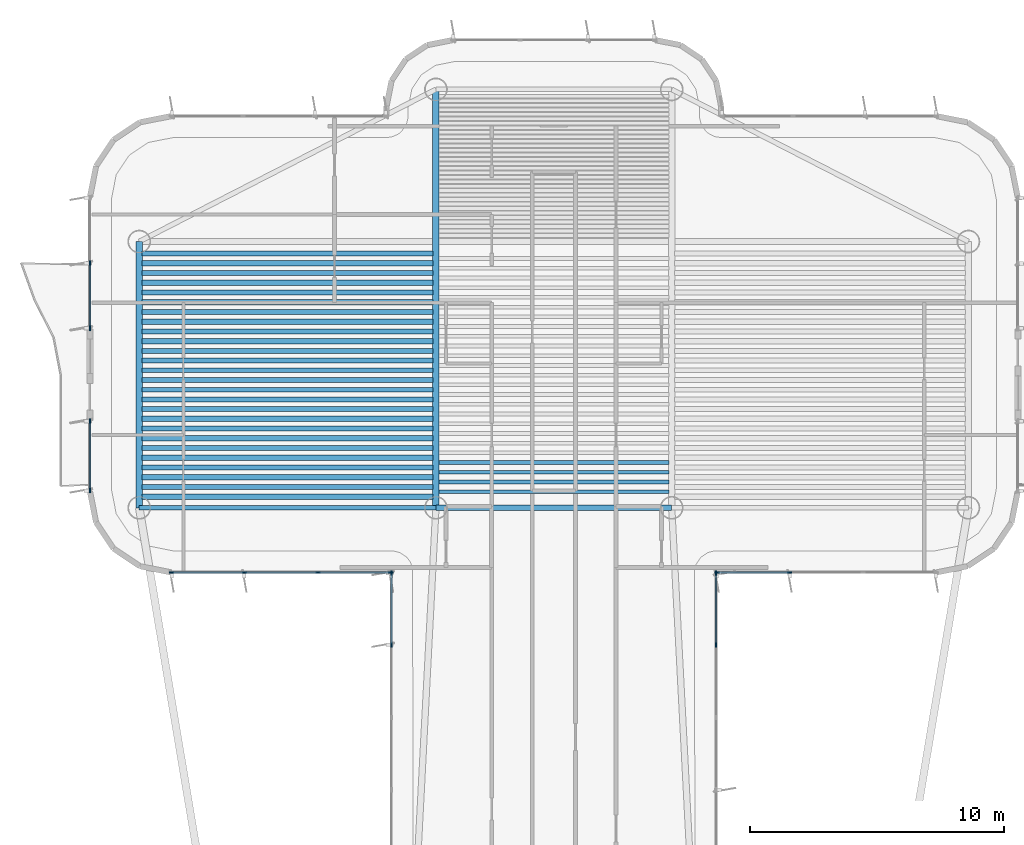
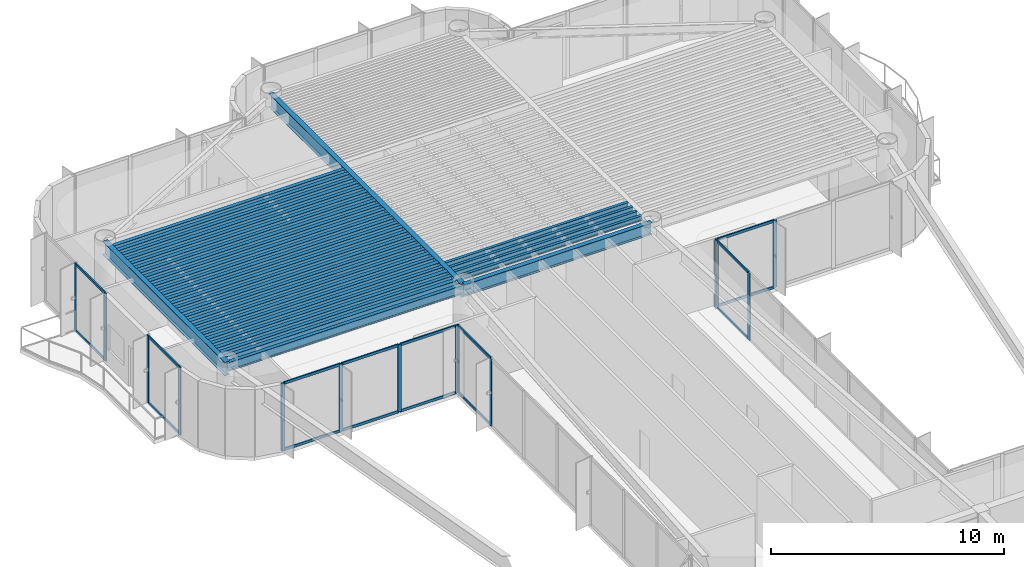
# One storey, part 5 of 15: 34 beams, 30 members, 6 elements without a shape of their own.
"""IFC4 building model written with IfcOpenShell, lengths in metres."""

from ifc_helpers import new_model, si_unit, direction, frame, origin, origin_2d, place, context, subcontext, project, spatial, rectangle, i_section, extrude, source, transform, mapped, material, layer, layer_set, material_profile, profile_set, type_object, element, aggregate, save


model = new_model("IFC4")

# Units and contexts
model_context = context("Model", 3, precision=1e-05, world=origin(), true_north=direction((0.0, 1.0)))
body_context = subcontext(model_context, "Body", "Model", "MODEL_VIEW")
ifc_project = project(units=[si_unit("LENGTHUNIT", "METRE"), si_unit("AREAUNIT", "SQUARE_METRE"), si_unit("VOLUMEUNIT", "CUBIC_METRE"), si_unit("PLANEANGLEUNIT", "RADIAN"), si_unit("MASSUNIT", "GRAM", prefix="KILO")], contexts=[model_context])

# Site, building, storey
site_placement = place(None, origin())
site = spatial("IfcSite", under=ifc_project, at=site_placement, CompositionType="ELEMENT")
building_placement = place(site_placement, origin())
building = spatial("IfcBuilding", under=site, at=building_placement, Name="Brelvock Crest Care Tower", CompositionType="ELEMENT")
storey_placement = place(building_placement, frame((0.0, 0.0, 275.93994140625)))
storey = spatial("IfcBuildingStorey", under=building, at=storey_placement, Name="L70", CompositionType="ELEMENT", Elevation=275.93994140625)

# Beams
ifc_material_1 = material(Name="Steel Grade 350", Category="steel")
ifc_material_profile_1 = material_profile(ifc_material_1, i_section(OverallWidth=0.25, OverallDepth=0.699951171875, WebThickness=0.011962890625, FlangeThickness=0.02001953125, at=origin_2d()), Name="700WB150")
ifc_profile_set_1 = profile_set([ifc_material_profile_1], Name="Steel Grade 350")
beam_type_1 = type_object("IfcBeamType", Name="BM-G4", PredefinedType="BEAM", material=ifc_profile_set_1)
shared_shape_1 = source(origin(), body_context, "Body", "SweptSolid", [
    extrude(i_section(OverallWidth=0.25, OverallDepth=0.699951171875, WebThickness=0.011962890625, FlangeThickness=0.02001953125, at=origin_2d()), origin(), (0.0, 0.0, 1.0), 10.5),
])
beam_1_placement = place(storey_placement, frame((19.64990234375, 43.949951171875, 3.18017578125), z_axis=(0.0, 1.0, 0.0), x_axis=(-1.0, 0.0, 0.0)))
element("IfcBeam", 1, at=beam_1_placement, inside=storey, type_object=beam_type_1, Name="BM-TWR-L70-01", PredefinedType="BEAM", context=body_context, shape_type="MappedRepresentation", body=[
    mapped(shared_shape_1, transform((0.0, 0.0, 0.0), x_axis=(1.0, 0.0, 0.0), y_axis=(0.0, 1.0, 0.0), z_axis=(0.0, 0.0, 1.0), scale=1.0)),
])
ifc_material_profile_2 = material_profile(ifc_material_1, i_section(OverallWidth=0.22900390625, OverallDepth=0.612060546875, WebThickness=0.011962890625, FlangeThickness=0.01953125, FilletRadius=0.013916015625, at=origin_2d()), Name="610UB125")
ifc_profile_set_2 = profile_set([ifc_material_profile_2], Name="Steel Grade 350")
beam_type_2 = type_object("IfcBeamType", Name="BM-G1", PredefinedType="BEAM", material=ifc_profile_set_2)
shared_shape_2 = source(origin(), body_context, "Body", "SweptSolid", [
    extrude(i_section(OverallWidth=0.22900390625, OverallDepth=0.612060546875, WebThickness=0.011962890625, FlangeThickness=0.01953125, FilletRadius=0.013916015625, at=origin_2d()), origin(), (0.0, 0.0, 1.0), 9.2998046875),
])
beam_2_placement = place(storey_placement, frame((31.35009765625, 43.949951171875, 3.22412109375), z_axis=(1.0, 0.0, 0.0), x_axis=(0.0, 1.0, 0.0)))
element("IfcBeam", 2, at=beam_2_placement, inside=storey, type_object=beam_type_2, Name="BM-TWR-L70-05", PredefinedType="BEAM", context=body_context, shape_type="MappedRepresentation", body=[
    mapped(shared_shape_2, transform((0.0, 0.0, 0.0), x_axis=(1.0, 0.0, 0.0), y_axis=(0.0, 1.0, 0.0), z_axis=(0.0, 0.0, 1.0), scale=1.0)),
])
ifc_material_profile_3 = material_profile(ifc_material_1, i_section(OverallWidth=0.14599609375, OverallDepth=0.256103515625, WebThickness=0.00634765625, FlangeThickness=0.010986328125, FilletRadius=0.0087890625, at=origin_2d()), Name="250UB37.3")
ifc_profile_set_3 = profile_set([ifc_material_profile_3], Name="Steel Grade 350")
beam_type_3 = type_object("IfcBeamType", Name="BM-J3", PredefinedType="JOIST", material=ifc_profile_set_3)
shared_shape_3 = source(origin(), body_context, "Body", "SweptSolid", [
    extrude(i_section(OverallWidth=0.14599609375, OverallDepth=0.256103515625, WebThickness=0.00634765625, FlangeThickness=0.010986328125, FilletRadius=0.0087890625, at=origin_2d()), origin(), (0.0, 0.0, 1.0), 9.06982421875),
])
for number, where, z_axis, x_axis, name in (
    (3, (31.465087890625, 44.58251953125, 3.402099609375), (1.0, 0.0, 0.0), (0.0, 1.0, 0.0), "BM-JH-L70-1"),
    (4, (31.465087890625, 44.9658203125, 3.402099609375), (1.0, 0.0, 0.0), (0.0, 1.0, 0.0), "BM-JH-L70-2"),
    (5, (31.465087890625, 45.34912109375, 3.402099609375), (1.0, 0.0, 0.0), (0.0, 1.0, 0.0), "BM-JH-L70-3"),
    (6, (31.465087890625, 45.732421875, 3.402099609375), (1.0, 0.0, 0.0), (0.0, 1.0, 0.0), "BM-JH-L70-4"),
):
    element("IfcBeam", number, at=place(storey_placement, frame(where, z_axis=z_axis, x_axis=x_axis)), inside=storey, type_object=beam_type_3, Name=name, PredefinedType="JOIST", context=body_context, shape_type="MappedRepresentation", body=[
        mapped(shared_shape_3, transform((0.0, 0.0, 0.0), x_axis=(1.0, 0.0, 0.0), y_axis=(0.0, 1.0, 0.0), z_axis=(0.0, 0.0, 1.0), scale=1.0)),
    ])
ifc_material_profile_4 = material_profile(ifc_material_1, i_section(OverallWidth=0.19091796875, OverallDepth=0.4599609375, WebThickness=0.010009765625, FlangeThickness=0.01611328125, FilletRadius=0.011474609375, at=origin_2d()), Name="460UB82.1")
ifc_profile_set_4 = profile_set([ifc_material_profile_4], Name="Steel Grade 350")
beam_type_4 = type_object("IfcBeamType", Name="BM-G3", PredefinedType="BEAM", material=ifc_profile_set_4)
shared_shape_4 = source(origin(), body_context, "Body", "SweptSolid", [
    extrude(i_section(OverallWidth=0.19091796875, OverallDepth=0.4599609375, WebThickness=0.010009765625, FlangeThickness=0.01611328125, FilletRadius=0.011474609375, at=origin_2d()), origin(), (0.0, 0.0, 1.0), 11.47021484375),
])
for number, where, z_axis, x_axis, name in (
    (7, (19.764892578125, 44.7744140625, 3.300048828125), (1.0, 0.0, 0.0), (0.0, 1.0, 0.0), "BM-JW-L70-2"),
    (8, (19.764892578125, 45.540771484375, 3.300048828125), (1.0, 0.0, 0.0), (0.0, 1.0, 0.0), "BM-JW-L70-4"),
    (9, (19.764892578125, 46.307373046875, 3.300048828125), (1.0, 0.0, 0.0), (0.0, 1.0, 0.0), "BM-JW-L70-6"),
    (10, (19.764892578125, 47.07373046875, 3.300048828125), (1.0, 0.0, 0.0), (0.0, 1.0, 0.0), "BM-JW-L70-8"),
    (11, (19.764892578125, 47.84033203125, 3.300048828125), (1.0, 0.0, 0.0), (0.0, 1.0, 0.0), "BM-JW-L70-10"),
    (12, (19.764892578125, 48.606689453125, 3.300048828125), (1.0, 0.0, 0.0), (0.0, 1.0, 0.0), "BM-JW-L70-12"),
    (13, (19.764892578125, 49.373291015625, 3.300048828125), (1.0, 0.0, 0.0), (0.0, 1.0, 0.0), "BM-JW-L70-14"),
    (14, (19.764892578125, 50.139892578125, 3.300048828125), (1.0, 0.0, 0.0), (0.0, 1.0, 0.0), "BM-JW-L70-16"),
    (15, (19.764892578125, 50.90625, 3.300048828125), (1.0, 0.0, 0.0), (0.0, 1.0, 0.0), "BM-JW-L70-18"),
    (16, (19.764892578125, 51.6728515625, 3.300048828125), (1.0, 0.0, 0.0), (0.0, 1.0, 0.0), "BM-JW-L70-20"),
    (17, (19.764892578125, 52.439208984375, 3.300048828125), (1.0, 0.0, 0.0), (0.0, 1.0, 0.0), "BM-JW-L70-22"),
    (18, (19.764892578125, 53.205810546875, 3.300048828125), (1.0, 0.0, 0.0), (0.0, 1.0, 0.0), "BM-JW-L70-24"),
    (19, (19.764892578125, 53.972412109375, 3.300048828125), (1.0, 0.0, 0.0), (0.0, 1.0, 0.0), "BM-JW-L70-26"),
):
    element("IfcBeam", number, at=place(storey_placement, frame(where, z_axis=z_axis, x_axis=x_axis)), inside=storey, type_object=beam_type_4, Name=name, PredefinedType="BEAM", context=body_context, shape_type="MappedRepresentation", body=[
        mapped(shared_shape_4, transform((0.0, 0.0, 0.0), x_axis=(1.0, 0.0, 0.0), y_axis=(0.0, 1.0, 0.0), z_axis=(0.0, 0.0, 1.0), scale=1.0)),
    ])
ifc_material_profile_5 = material_profile(ifc_material_1, i_section(OverallWidth=0.208984375, OverallDepth=0.532958984375, WebThickness=0.01025390625, FlangeThickness=0.015625, FilletRadius=0.013916015625, at=origin_2d()), Name="530UB92.4")
ifc_profile_set_5 = profile_set([ifc_material_profile_5], Name="Steel Grade 350")
beam_type_5 = type_object("IfcBeamType", Name="BM-G2", PredefinedType="BEAM", material=ifc_profile_set_5)
shared_shape_5 = source(origin(), body_context, "Body", "SweptSolid", [
    extrude(i_section(OverallWidth=0.208984375, OverallDepth=0.532958984375, WebThickness=0.01025390625, FlangeThickness=0.015625, FilletRadius=0.013916015625, at=origin_2d()), origin(), (0.0, 0.0, 1.0), 11.47021484375),
])
for number, where, z_axis, x_axis, name in (
    (20, (19.764892578125, 44.39111328125, 3.263671875), (1.0, 0.0, 0.0), (0.0, 1.0, 0.0), "BM-JW-L70-1"),
    (21, (19.764892578125, 45.157470703125, 3.263671875), (1.0, 0.0, 0.0), (0.0, 1.0, 0.0), "BM-JW-L70-3"),
    (22, (19.764892578125, 45.924072265625, 3.263671875), (1.0, 0.0, 0.0), (0.0, 1.0, 0.0), "BM-JW-L70-5"),
    (23, (19.764892578125, 46.6904296875, 3.263671875), (1.0, 0.0, 0.0), (0.0, 1.0, 0.0), "BM-JW-L70-7"),
    (24, (19.764892578125, 47.45703125, 3.263671875), (1.0, 0.0, 0.0), (0.0, 1.0, 0.0), "BM-JW-L70-9"),
    (25, (19.764892578125, 48.223388671875, 3.263671875), (1.0, 0.0, 0.0), (0.0, 1.0, 0.0), "BM-JW-L70-11"),
    (26, (19.764892578125, 48.989990234375, 3.263671875), (1.0, 0.0, 0.0), (0.0, 1.0, 0.0), "BM-JW-L70-13"),
    (27, (19.764892578125, 49.756591796875, 3.263671875), (1.0, 0.0, 0.0), (0.0, 1.0, 0.0), "BM-JW-L70-15"),
    (28, (19.764892578125, 50.52294921875, 3.263671875), (1.0, 0.0, 0.0), (0.0, 1.0, 0.0), "BM-JW-L70-17"),
    (29, (19.764892578125, 51.28955078125, 3.263671875), (1.0, 0.0, 0.0), (0.0, 1.0, 0.0), "BM-JW-L70-19"),
    (30, (19.764892578125, 52.055908203125, 3.263671875), (1.0, 0.0, 0.0), (0.0, 1.0, 0.0), "BM-JW-L70-21"),
    (31, (19.764892578125, 52.822509765625, 3.263671875), (1.0, 0.0, 0.0), (0.0, 1.0, 0.0), "BM-JW-L70-23"),
    (32, (19.764892578125, 53.589111328125, 3.263671875), (1.0, 0.0, 0.0), (0.0, 1.0, 0.0), "BM-JW-L70-25"),
):
    element("IfcBeam", number, at=place(storey_placement, frame(where, z_axis=z_axis, x_axis=x_axis)), inside=storey, type_object=beam_type_5, Name=name, PredefinedType="BEAM", context=body_context, shape_type="MappedRepresentation", body=[
        mapped(shared_shape_5, transform((0.0, 0.0, 0.0), x_axis=(1.0, 0.0, 0.0), y_axis=(0.0, 1.0, 0.0), z_axis=(0.0, 0.0, 1.0), scale=1.0)),
    ])
ifc_material_profile_6 = material_profile(ifc_material_1, i_section(OverallWidth=0.19091796875, OverallDepth=0.4599609375, WebThickness=0.010009765625, FlangeThickness=0.01611328125, FilletRadius=0.011474609375, at=origin_2d()), Name="460UB82.1")
ifc_profile_set_6 = profile_set([ifc_material_profile_6], Name="Steel Grade 350")
beam_type_6 = type_object("IfcBeamType", Name="BM-SP2", PredefinedType="SPANDREL", material=ifc_profile_set_6)
shared_shape_6 = source(origin(), body_context, "Body", "SweptSolid", [
    extrude(i_section(OverallWidth=0.19091796875, OverallDepth=0.4599609375, WebThickness=0.010009765625, FlangeThickness=0.01611328125, FilletRadius=0.011474609375, at=origin_2d()), origin(), (0.0, 0.0, 1.0), 11.7001953125),
])
beam_3_placement = place(storey_placement, frame((19.64990234375, 43.949951171875, 3.300048828125), z_axis=(1.0, 0.0, 0.0), x_axis=(0.0, 1.0, 0.0)))
element("IfcBeam", 33, at=beam_3_placement, inside=storey, type_object=beam_type_6, Name="BM-TWR-L70-03", PredefinedType="SPANDREL", context=body_context, shape_type="MappedRepresentation", body=[
    mapped(shared_shape_6, transform((0.0, 0.0, 0.0), x_axis=(1.0, 0.0, 0.0), y_axis=(0.0, 1.0, 0.0), z_axis=(0.0, 0.0, 1.0), scale=1.0)),
])
shared_shape_7 = source(origin(), body_context, "Body", "SweptSolid", [
    extrude(i_section(OverallWidth=0.25, OverallDepth=0.699951171875, WebThickness=0.011962890625, FlangeThickness=0.02001953125, at=origin_2d()), origin(), (0.0, 0.0, 1.0), 16.5),
])
beam_4_placement = place(storey_placement, frame((31.35009765625, 43.949951171875, 3.18017578125), z_axis=(0.0, 1.0, 0.0), x_axis=(-1.0, 0.0, 0.0)))
element("IfcBeam", 34, at=beam_4_placement, inside=storey, type_object=beam_type_1, Name="BM-TWR-L70-09", PredefinedType="BEAM", context=body_context, shape_type="MappedRepresentation", body=[
    mapped(shared_shape_7, transform((0.0, 0.0, 0.0), x_axis=(1.0, 0.0, 0.0), y_axis=(0.0, 1.0, 0.0), z_axis=(0.0, 0.0, 1.0), scale=1.0)),
])

# Curtain wall, members
ifc_material_2 = material(Name="Dark Glass Double Glazed Low-E", Category="glass")
ifc_layer = layer(ifc_material_2, 0.239990234375, Name="CWS-5")
ifc_layer_set = layer_set([ifc_layer], Name="Dark Glass Double Glazed Low-E")
curtain_wall_type = type_object("IfcCurtainWallType", Name="CWS-5", PredefinedType="NOTDEFINED", material=ifc_layer_set)
curtain_wall_1_placement = place(storey_placement, origin())
curtain_wall_1 = element("IfcCurtainWall", 35, at=curtain_wall_1_placement, inside=storey, type_object=curtain_wall_type, Name="L70 Curtain Wall E11", PredefinedType="NOTDEFINED")
ifc_material_3 = material(Name="Aluminium 6063-T6", Category="aluminium")
ifc_material_profile_7 = material_profile(ifc_material_3, rectangle(XDim=0.06005859375, YDim=0.179931640625, at=origin_2d()), Name="ALU60x180")
ifc_profile_set_7 = profile_set([ifc_material_profile_7], Name="Aluminium 6063-T6")
member_type_1 = type_object("IfcMemberType", Name="CWM-2", PredefinedType="MULLION", material=ifc_profile_set_7)
shared_shape_8 = source(origin(), body_context, "Body", "SweptSolid", [
    extrude(rectangle(XDim=0.06005859375, YDim=0.179931640625, at=origin_2d()), origin(), (0.0, 0.0, 1.0), 3.530029296875),
])
member_1_placement = place(storey_placement, frame((29.60009765625, 38.54296875, 0.0), z_axis=(0.0, 0.0, 1.0), x_axis=(-1.0, 0.0, 0.0)))
member_1 = element("IfcMember", 36, at=member_1_placement, type_object=member_type_1, Name="CW-5 mullion 7", PredefinedType="MULLION", context=body_context, shape_type="MappedRepresentation", body=[
    mapped(shared_shape_8, transform((0.0, 0.0, 0.0), x_axis=(1.0, 0.0, 0.0), y_axis=(0.0, 1.0, 0.0), z_axis=(0.0, 0.0, 1.0), scale=1.0)),
])
member_2_placement = place(storey_placement, frame((29.60009765625, 41.3701171875, 0.0), z_axis=(0.0, 0.0, 1.0), x_axis=(-1.0, 0.0, 0.0)))
member_2 = element("IfcMember", 37, at=member_2_placement, type_object=member_type_1, Name="CW-5 mullion 8", PredefinedType="MULLION", context=body_context, shape_type="MappedRepresentation", body=[
    mapped(shared_shape_8, transform((0.0, 0.0, 0.0), x_axis=(1.0, 0.0, 0.0), y_axis=(0.0, 1.0, 0.0), z_axis=(0.0, 0.0, 1.0), scale=1.0)),
])

curtain_wall_2_placement = place(storey_placement, origin())
curtain_wall_2 = element("IfcCurtainWall", 38, at=curtain_wall_2_placement, inside=storey, type_object=curtain_wall_type, Name="L70 Curtain Wall E12", PredefinedType="NOTDEFINED")
member_3_placement = place(storey_placement, frame((29.570068359375, 41.39990234375, 0.0), z_axis=(0.0, 0.0, 1.0), x_axis=(0.0, -1.0, 0.0)))
member_3 = element("IfcMember", 39, at=member_3_placement, type_object=member_type_1, Name="CW-5 mullion 1", PredefinedType="MULLION", context=body_context, shape_type="MappedRepresentation", body=[
    mapped(shared_shape_8, transform((0.0, 0.0, 0.0), x_axis=(1.0, 0.0, 0.0), y_axis=(0.0, 1.0, 0.0), z_axis=(0.0, 0.0, 1.0), scale=1.0)),
])
member_4_placement = place(storey_placement, frame((26.699951171875, 41.39990234375, 0.0), z_axis=(0.0, 0.0, 1.0), x_axis=(0.0, -1.0, 0.0)))
member_4 = element("IfcMember", 40, at=member_4_placement, type_object=member_type_1, Name="CW-5 mullion 2", PredefinedType="MULLION", context=body_context, shape_type="MappedRepresentation", body=[
    mapped(shared_shape_8, transform((0.0, 0.0, 0.0), x_axis=(1.0, 0.0, 0.0), y_axis=(0.0, 1.0, 0.0), z_axis=(0.0, 0.0, 1.0), scale=1.0)),
])
member_5_placement = place(storey_placement, frame((23.800048828125, 41.39990234375, 0.0), z_axis=(0.0, 0.0, 1.0), x_axis=(0.0, -1.0, 0.0)))
member_5 = element("IfcMember", 41, at=member_5_placement, type_object=member_type_1, Name="CW-5 mullion 3", PredefinedType="MULLION", context=body_context, shape_type="MappedRepresentation", body=[
    mapped(shared_shape_8, transform((0.0, 0.0, 0.0), x_axis=(1.0, 0.0, 0.0), y_axis=(0.0, 1.0, 0.0), z_axis=(0.0, 0.0, 1.0), scale=1.0)),
])
member_6_placement = place(storey_placement, frame((20.929931640625, 41.39990234375, 0.0), z_axis=(0.0, 0.0, 1.0), x_axis=(0.0, -1.0, 0.0)))
member_6 = element("IfcMember", 42, at=member_6_placement, type_object=member_type_1, Name="CW-5 mullion 4", PredefinedType="MULLION", context=body_context, shape_type="MappedRepresentation", body=[
    mapped(shared_shape_8, transform((0.0, 0.0, 0.0), x_axis=(1.0, 0.0, 0.0), y_axis=(0.0, 1.0, 0.0), z_axis=(0.0, 0.0, 1.0), scale=1.0)),
])

curtain_wall_3_placement = place(storey_placement, origin())
curtain_wall_3 = element("IfcCurtainWall", 43, at=curtain_wall_3_placement, inside=storey, type_object=curtain_wall_type, Name="L70 Curtain Wall E17A", PredefinedType="NOTDEFINED")
member_7_placement = place(storey_placement, frame((17.699951171875, 44.6298828125, 0.0), z_axis=(0.0, 0.0, 1.0), x_axis=(-1.0, 0.0, 0.0)))
member_7 = element("IfcMember", 44, at=member_7_placement, type_object=member_type_1, Name="CW-5 mullion 1", PredefinedType="MULLION", context=body_context, shape_type="MappedRepresentation", body=[
    mapped(shared_shape_8, transform((0.0, 0.0, 0.0), x_axis=(1.0, 0.0, 0.0), y_axis=(0.0, 1.0, 0.0), z_axis=(0.0, 0.0, 1.0), scale=1.0)),
])
member_8_placement = place(storey_placement, frame((17.699951171875, 47.3701171875, 0.0), z_axis=(0.0, 0.0, 1.0), x_axis=(-1.0, 0.0, 0.0)))
member_8 = element("IfcMember", 45, at=member_8_placement, type_object=member_type_1, Name="CW-5 mullion 2", PredefinedType="MULLION", context=body_context, shape_type="MappedRepresentation", body=[
    mapped(shared_shape_8, transform((0.0, 0.0, 0.0), x_axis=(1.0, 0.0, 0.0), y_axis=(0.0, 1.0, 0.0), z_axis=(0.0, 0.0, 1.0), scale=1.0)),
])

curtain_wall_4_placement = place(storey_placement, origin())
curtain_wall_4 = element("IfcCurtainWall", 46, at=curtain_wall_4_placement, inside=storey, type_object=curtain_wall_type, Name="L70 Curtain Wall E17B", PredefinedType="NOTDEFINED")
member_9_placement = place(storey_placement, frame((17.699951171875, 51.030029296875, 0.0), z_axis=(0.0, 0.0, 1.0), x_axis=(-1.0, 0.0, 0.0)))
member_9 = element("IfcMember", 47, at=member_9_placement, type_object=member_type_1, Name="CW-5 mullion 1", PredefinedType="MULLION", context=body_context, shape_type="MappedRepresentation", body=[
    mapped(shared_shape_8, transform((0.0, 0.0, 0.0), x_axis=(1.0, 0.0, 0.0), y_axis=(0.0, 1.0, 0.0), z_axis=(0.0, 0.0, 1.0), scale=1.0)),
])
member_10_placement = place(storey_placement, frame((17.699951171875, 53.60009765625, 0.0), z_axis=(0.0, 0.0, 1.0), x_axis=(-1.0, 0.0, 0.0)))
member_10 = element("IfcMember", 48, at=member_10_placement, type_object=member_type_1, Name="CW-5 mullion 2", PredefinedType="MULLION", context=body_context, shape_type="MappedRepresentation", body=[
    mapped(shared_shape_8, transform((0.0, 0.0, 0.0), x_axis=(1.0, 0.0, 0.0), y_axis=(0.0, 1.0, 0.0), z_axis=(0.0, 0.0, 1.0), scale=1.0)),
])

curtain_wall_5_placement = place(storey_placement, origin())
curtain_wall_5 = element("IfcCurtainWall", 49, at=curtain_wall_5_placement, inside=storey, type_object=curtain_wall_type, Name="L70 Curtain Wall E44", PredefinedType="NOTDEFINED")
member_11_placement = place(storey_placement, frame((45.300048828125, 41.39990234375, 0.0), z_axis=(0.0, 0.0, 1.0), x_axis=(0.0, -1.0, 0.0)))
member_11 = element("IfcMember", 50, at=member_11_placement, type_object=member_type_1, Name="CW-5 mullion 3", PredefinedType="MULLION", context=body_context, shape_type="MappedRepresentation", body=[
    mapped(shared_shape_8, transform((0.0, 0.0, 0.0), x_axis=(1.0, 0.0, 0.0), y_axis=(0.0, 1.0, 0.0), z_axis=(0.0, 0.0, 1.0), scale=1.0)),
])
member_12_placement = place(storey_placement, frame((42.429931640625, 41.39990234375, 0.0), z_axis=(0.0, 0.0, 1.0), x_axis=(0.0, -1.0, 0.0)))
member_12 = element("IfcMember", 51, at=member_12_placement, type_object=member_type_1, Name="CW-5 mullion 4", PredefinedType="MULLION", context=body_context, shape_type="MappedRepresentation", body=[
    mapped(shared_shape_8, transform((0.0, 0.0, 0.0), x_axis=(1.0, 0.0, 0.0), y_axis=(0.0, 1.0, 0.0), z_axis=(0.0, 0.0, 1.0), scale=1.0)),
])

curtain_wall_6_placement = place(storey_placement, origin())
curtain_wall_6 = element("IfcCurtainWall", 52, at=curtain_wall_6_placement, inside=storey, type_object=curtain_wall_type, Name="L70 Curtain Wall E45", PredefinedType="NOTDEFINED")
member_13_placement = place(storey_placement, frame((42.39990234375, 41.3701171875, 0.0), z_axis=(0.0, 0.0, 1.0), x_axis=(1.0, 0.0, 0.0)))
member_13 = element("IfcMember", 53, at=member_13_placement, type_object=member_type_1, Name="CW-5 mullion 1", PredefinedType="MULLION", context=body_context, shape_type="MappedRepresentation", body=[
    mapped(shared_shape_8, transform((0.0, 0.0, 0.0), x_axis=(1.0, 0.0, 0.0), y_axis=(0.0, 1.0, 0.0), z_axis=(0.0, 0.0, 1.0), scale=1.0)),
])
member_14_placement = place(storey_placement, frame((42.39990234375, 38.54296875, 0.0), z_axis=(0.0, 0.0, 1.0), x_axis=(1.0, 0.0, 0.0)))
member_14 = element("IfcMember", 54, at=member_14_placement, type_object=member_type_1, Name="CW-5 mullion 2", PredefinedType="MULLION", context=body_context, shape_type="MappedRepresentation", body=[
    mapped(shared_shape_8, transform((0.0, 0.0, 0.0), x_axis=(1.0, 0.0, 0.0), y_axis=(0.0, 1.0, 0.0), z_axis=(0.0, 0.0, 1.0), scale=1.0)),
])

# Member
ifc_material_profile_8 = material_profile(ifc_material_3, rectangle(XDim=0.06005859375, YDim=0.139892578125, at=origin_2d()), Name="ALU60x140")
ifc_profile_set_8 = profile_set([ifc_material_profile_8], Name="Aluminium 6063-T6")
member_type_2 = type_object("IfcMemberType", Name="CWT-2", PredefinedType="USERDEFINED", material=ifc_profile_set_8)
shared_shape_9 = source(origin(), body_context, "Body", "SweptSolid", [
    extrude(rectangle(XDim=0.06005859375, YDim=0.139892578125, at=origin_2d()), origin(), (0.0, 0.0, 1.0), 2.510009765625),
])
member_15_placement = place(storey_placement, frame((17.699951171875, 51.06005859375, 0.030029296875), z_axis=(0.0, 1.0, 0.0), x_axis=(-1.0, 0.0, 0.0)))
member_15 = element("IfcMember", 55, at=member_15_placement, type_object=member_type_2, Name="CW-5 transom 1.1", ObjectType="TRANSOM", PredefinedType="USERDEFINED", context=body_context, shape_type="MappedRepresentation", body=[
    mapped(shared_shape_9, transform((0.0, 0.0, 0.0), x_axis=(1.0, 0.0, 0.0), y_axis=(0.0, 1.0, 0.0), z_axis=(0.0, 0.0, 1.0), scale=1.0)),
])

member_16_placement = place(storey_placement, frame((17.699951171875, 51.06005859375, 3.5), z_axis=(0.0, 1.0, 0.0), x_axis=(-1.0, 0.0, 0.0)))
member_16 = element("IfcMember", 56, at=member_16_placement, type_object=member_type_2, Name="CW-5 transom 1.2", ObjectType="TRANSOM", PredefinedType="USERDEFINED", context=body_context, shape_type="MappedRepresentation", body=[
    mapped(shared_shape_9, transform((0.0, 0.0, 0.0), x_axis=(1.0, 0.0, 0.0), y_axis=(0.0, 1.0, 0.0), z_axis=(0.0, 0.0, 1.0), scale=1.0)),
])

aggregate(curtain_wall_4, [member_9, member_10, member_15, member_16])

shared_shape_10 = source(origin(), body_context, "Body", "SweptSolid", [
    extrude(rectangle(XDim=0.06005859375, YDim=0.139892578125, at=origin_2d()), origin(), (0.0, 0.0, 1.0), 2.767333984375),
])
member_17_placement = place(storey_placement, frame((29.60009765625, 38.57275390625, 0.030029296875), z_axis=(0.0, 1.0, 0.0), x_axis=(-1.0, 0.0, 0.0)))
member_17 = element("IfcMember", 57, at=member_17_placement, type_object=member_type_2, Name="CW-5 transom 7.1", ObjectType="TRANSOM", PredefinedType="USERDEFINED", context=body_context, shape_type="MappedRepresentation", body=[
    mapped(shared_shape_10, transform((0.0, 0.0, 0.0), x_axis=(1.0, 0.0, 0.0), y_axis=(0.0, 1.0, 0.0), z_axis=(0.0, 0.0, 1.0), scale=1.0)),
])

member_18_placement = place(storey_placement, frame((29.60009765625, 38.57275390625, 3.5), z_axis=(0.0, 1.0, 0.0), x_axis=(-1.0, 0.0, 0.0)))
member_18 = element("IfcMember", 58, at=member_18_placement, type_object=member_type_2, Name="CW-5 transom 7.2", ObjectType="TRANSOM", PredefinedType="USERDEFINED", context=body_context, shape_type="MappedRepresentation", body=[
    mapped(shared_shape_10, transform((0.0, 0.0, 0.0), x_axis=(1.0, 0.0, 0.0), y_axis=(0.0, 1.0, 0.0), z_axis=(0.0, 0.0, 1.0), scale=1.0)),
])

aggregate(curtain_wall_1, [member_1, member_2, member_17, member_18])

member_19_placement = place(storey_placement, frame((42.39990234375, 41.340087890625, 0.030029296875), z_axis=(0.0, -1.0, 0.0), x_axis=(1.0, 0.0, 0.0)))
member_19 = element("IfcMember", 59, at=member_19_placement, type_object=member_type_2, Name="CW-5 transom 1.1", ObjectType="TRANSOM", PredefinedType="USERDEFINED", context=body_context, shape_type="MappedRepresentation", body=[
    mapped(shared_shape_10, transform((0.0, 0.0, 0.0), x_axis=(1.0, 0.0, 0.0), y_axis=(0.0, 1.0, 0.0), z_axis=(0.0, 0.0, 1.0), scale=1.0)),
])

member_20_placement = place(storey_placement, frame((42.39990234375, 41.340087890625, 3.5), z_axis=(0.0, -1.0, 0.0), x_axis=(1.0, 0.0, 0.0)))
member_20 = element("IfcMember", 60, at=member_20_placement, type_object=member_type_2, Name="CW-5 transom 1.2", ObjectType="TRANSOM", PredefinedType="USERDEFINED", context=body_context, shape_type="MappedRepresentation", body=[
    mapped(shared_shape_10, transform((0.0, 0.0, 0.0), x_axis=(1.0, 0.0, 0.0), y_axis=(0.0, 1.0, 0.0), z_axis=(0.0, 0.0, 1.0), scale=1.0)),
])

aggregate(curtain_wall_6, [member_13, member_14, member_19, member_20])

shared_shape_11 = source(origin(), body_context, "Body", "SweptSolid", [
    extrude(rectangle(XDim=0.06005859375, YDim=0.139892578125, at=origin_2d()), origin(), (0.0, 0.0, 1.0), 2.81005859375),
])
member_21_placement = place(storey_placement, frame((29.5400390625, 41.39990234375, 0.030029296875), z_axis=(-1.0, 0.0, 0.0), x_axis=(0.0, -1.0, 0.0)))
member_21 = element("IfcMember", 61, at=member_21_placement, type_object=member_type_2, Name="CW-5 transom 1.1", ObjectType="TRANSOM", PredefinedType="USERDEFINED", context=body_context, shape_type="MappedRepresentation", body=[
    mapped(shared_shape_11, transform((0.0, 0.0, 0.0), x_axis=(1.0, 0.0, 0.0), y_axis=(0.0, 1.0, 0.0), z_axis=(0.0, 0.0, 1.0), scale=1.0)),
])

member_22_placement = place(storey_placement, frame((29.5400390625, 41.39990234375, 3.5), z_axis=(-1.0, 0.0, 0.0), x_axis=(0.0, -1.0, 0.0)))
member_22 = element("IfcMember", 62, at=member_22_placement, type_object=member_type_2, Name="CW-5 transom 1.2", ObjectType="TRANSOM", PredefinedType="USERDEFINED", context=body_context, shape_type="MappedRepresentation", body=[
    mapped(shared_shape_11, transform((0.0, 0.0, 0.0), x_axis=(1.0, 0.0, 0.0), y_axis=(0.0, 1.0, 0.0), z_axis=(0.0, 0.0, 1.0), scale=1.0)),
])

member_23_placement = place(storey_placement, frame((23.77001953125, 41.39990234375, 0.030029296875), z_axis=(-1.0, 0.0, 0.0), x_axis=(0.0, -1.0, 0.0)))
member_23 = element("IfcMember", 63, at=member_23_placement, type_object=member_type_2, Name="CW-5 transom 3.1", ObjectType="TRANSOM", PredefinedType="USERDEFINED", context=body_context, shape_type="MappedRepresentation", body=[
    mapped(shared_shape_11, transform((0.0, 0.0, 0.0), x_axis=(1.0, 0.0, 0.0), y_axis=(0.0, 1.0, 0.0), z_axis=(0.0, 0.0, 1.0), scale=1.0)),
])

member_24_placement = place(storey_placement, frame((23.77001953125, 41.39990234375, 3.5), z_axis=(-1.0, 0.0, 0.0), x_axis=(0.0, -1.0, 0.0)))
member_24 = element("IfcMember", 64, at=member_24_placement, type_object=member_type_2, Name="CW-5 transom 3.2", ObjectType="TRANSOM", PredefinedType="USERDEFINED", context=body_context, shape_type="MappedRepresentation", body=[
    mapped(shared_shape_11, transform((0.0, 0.0, 0.0), x_axis=(1.0, 0.0, 0.0), y_axis=(0.0, 1.0, 0.0), z_axis=(0.0, 0.0, 1.0), scale=1.0)),
])

member_25_placement = place(storey_placement, frame((45.27001953125, 41.39990234375, 0.030029296875), z_axis=(-1.0, 0.0, 0.0), x_axis=(0.0, -1.0, 0.0)))
member_25 = element("IfcMember", 65, at=member_25_placement, type_object=member_type_2, Name="CW-5 transom 3.1", ObjectType="TRANSOM", PredefinedType="USERDEFINED", context=body_context, shape_type="MappedRepresentation", body=[
    mapped(shared_shape_11, transform((0.0, 0.0, 0.0), x_axis=(1.0, 0.0, 0.0), y_axis=(0.0, 1.0, 0.0), z_axis=(0.0, 0.0, 1.0), scale=1.0)),
])

member_26_placement = place(storey_placement, frame((45.27001953125, 41.39990234375, 3.5), z_axis=(-1.0, 0.0, 0.0), x_axis=(0.0, -1.0, 0.0)))
member_26 = element("IfcMember", 66, at=member_26_placement, type_object=member_type_2, Name="CW-5 transom 3.2", ObjectType="TRANSOM", PredefinedType="USERDEFINED", context=body_context, shape_type="MappedRepresentation", body=[
    mapped(shared_shape_11, transform((0.0, 0.0, 0.0), x_axis=(1.0, 0.0, 0.0), y_axis=(0.0, 1.0, 0.0), z_axis=(0.0, 0.0, 1.0), scale=1.0)),
])

aggregate(curtain_wall_5, [member_11, member_12, member_25, member_26])

shared_shape_12 = source(origin(), body_context, "Body", "SweptSolid", [
    extrude(rectangle(XDim=0.06005859375, YDim=0.139892578125, at=origin_2d()), origin(), (0.0, 0.0, 1.0), 2.83984375),
])
member_27_placement = place(storey_placement, frame((26.669921875, 41.39990234375, 0.030029296875), z_axis=(-1.0, 0.0, 0.0), x_axis=(0.0, -1.0, 0.0)))
member_27 = element("IfcMember", 67, at=member_27_placement, type_object=member_type_2, Name="CW-5 transom 2.1", ObjectType="TRANSOM", PredefinedType="USERDEFINED", context=body_context, shape_type="MappedRepresentation", body=[
    mapped(shared_shape_12, transform((0.0, 0.0, 0.0), x_axis=(1.0, 0.0, 0.0), y_axis=(0.0, 1.0, 0.0), z_axis=(0.0, 0.0, 1.0), scale=1.0)),
])

member_28_placement = place(storey_placement, frame((26.669921875, 41.39990234375, 3.5), z_axis=(-1.0, 0.0, 0.0), x_axis=(0.0, -1.0, 0.0)))
member_28 = element("IfcMember", 68, at=member_28_placement, type_object=member_type_2, Name="CW-5 transom 2.2", ObjectType="TRANSOM", PredefinedType="USERDEFINED", context=body_context, shape_type="MappedRepresentation", body=[
    mapped(shared_shape_12, transform((0.0, 0.0, 0.0), x_axis=(1.0, 0.0, 0.0), y_axis=(0.0, 1.0, 0.0), z_axis=(0.0, 0.0, 1.0), scale=1.0)),
])

aggregate(curtain_wall_2, [member_3, member_4, member_5, member_6, member_21, member_22, member_27, member_28, member_23, member_24])

shared_shape_13 = source(origin(), body_context, "Body", "SweptSolid", [
    extrude(rectangle(XDim=0.06005859375, YDim=0.139892578125, at=origin_2d()), origin(), (0.0, 0.0, 1.0), 2.68017578125),
])
member_29_placement = place(storey_placement, frame((17.699951171875, 44.659912109375, 0.030029296875), z_axis=(0.0, 1.0, 0.0), x_axis=(-1.0, 0.0, 0.0)))
member_29 = element("IfcMember", 69, at=member_29_placement, type_object=member_type_2, Name="CW-5 transom 1.1", ObjectType="TRANSOM", PredefinedType="USERDEFINED", context=body_context, shape_type="MappedRepresentation", body=[
    mapped(shared_shape_13, transform((0.0, 0.0, 0.0), x_axis=(1.0, 0.0, 0.0), y_axis=(0.0, 1.0, 0.0), z_axis=(0.0, 0.0, 1.0), scale=1.0)),
])

member_30_placement = place(storey_placement, frame((17.699951171875, 44.659912109375, 3.5), z_axis=(0.0, 1.0, 0.0), x_axis=(-1.0, 0.0, 0.0)))
member_30 = element("IfcMember", 70, at=member_30_placement, type_object=member_type_2, Name="CW-5 transom 1.2", ObjectType="TRANSOM", PredefinedType="USERDEFINED", context=body_context, shape_type="MappedRepresentation", body=[
    mapped(shared_shape_13, transform((0.0, 0.0, 0.0), x_axis=(1.0, 0.0, 0.0), y_axis=(0.0, 1.0, 0.0), z_axis=(0.0, 0.0, 1.0), scale=1.0)),
])

aggregate(curtain_wall_3, [member_7, member_8, member_29, member_30])

save(model, "model.ifc")
